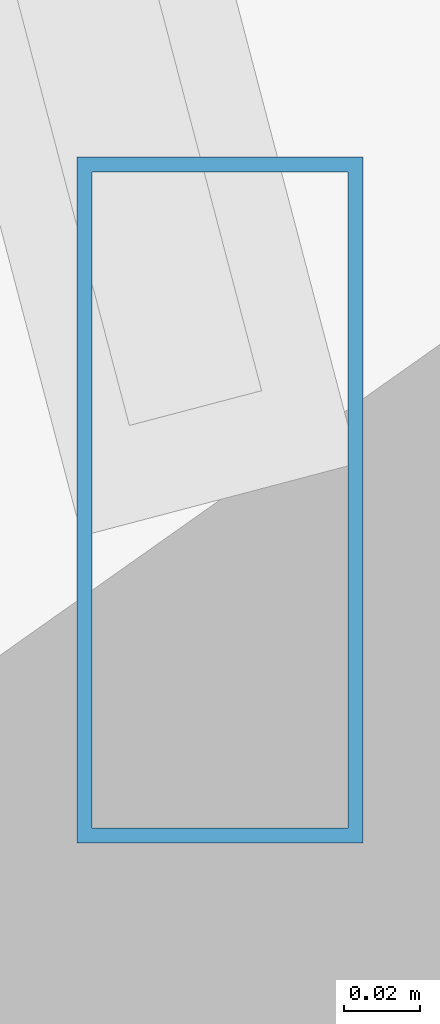
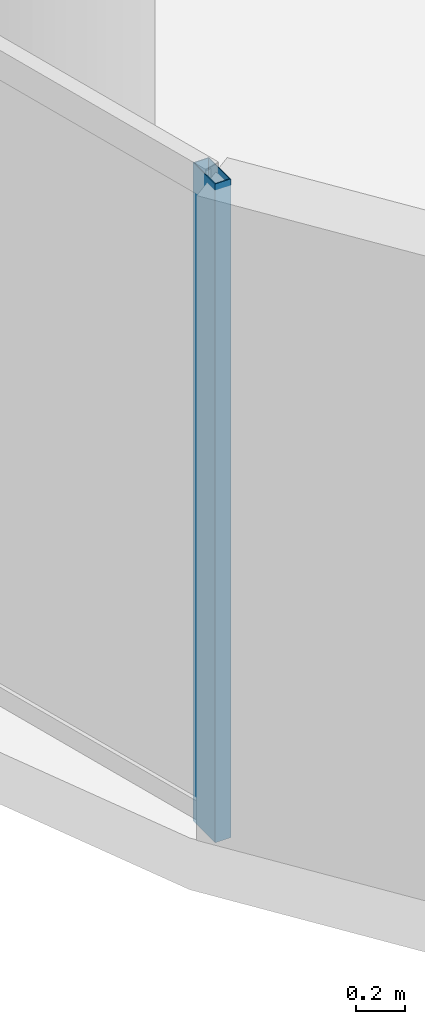
# One storey, part 3 of 34: 1 member, 1 element without a shape of its own.
"""IFC4 building model written with IfcOpenShell, lengths in metres."""

from ifc_helpers import new_model, si_unit, direction, frame, origin, origin_2d, place, context, subcontext, project, spatial, hollow_rectangle, extrude, material, material_profile, profile_set, type_object, element, aggregate, save


model = new_model("IFC4")

# Units and contexts
model_context = context("Model", 3, precision=1e-05, world=origin(), true_north=direction((0.0, 1.0)))
body_context = subcontext(model_context, "Body", "Model", "MODEL_VIEW")
ifc_project = project(units=[si_unit("LENGTHUNIT", "METRE"), si_unit("AREAUNIT", "SQUARE_METRE"), si_unit("VOLUMEUNIT", "CUBIC_METRE"), si_unit("PLANEANGLEUNIT", "RADIAN"), si_unit("MASSUNIT", "GRAM", prefix="KILO")], contexts=[model_context])

# Site, building, storey
site_placement = place(None, origin())
site = spatial("IfcSite", under=ifc_project, at=site_placement, CompositionType="ELEMENT")
building_placement = place(site_placement, origin())
building = spatial("IfcBuilding", under=site, at=building_placement, Name="Vorneva Point Tower", CompositionType="ELEMENT")
storey_placement = place(building_placement, frame((0.0, 0.0, 62.5)))
storey = spatial("IfcBuildingStorey", under=building, at=storey_placement, Name="L16", CompositionType="ELEMENT", Elevation=62.5)

# Curtain wall, member
ifc_material = material(Name="Pale anodised aluminium", Category="aluminium")
curtain_wall_type = type_object("IfcCurtainWallType", Name="CW-HTL-SYS", PredefinedType="NOTDEFINED", material=ifc_material)
curtain_wall_placement = place(storey_placement, origin())
curtain_wall = element("IfcCurtainWall", 1, at=curtain_wall_placement, inside=storey, type_object=curtain_wall_type, Name="L16 Unitised Curtain Wall CW-L16-R03", PredefinedType="NOTDEFINED")
ifc_material_profile = material_profile(ifc_material, hollow_rectangle(XDim=0.074951171875, YDim=0.179931640625, WallThickness=0.00390625, at=origin_2d()), Name="AL-MUL 180x75x4")
ifc_profile_set = profile_set([ifc_material_profile], Name="Pale anodised aluminium")
member_type = type_object("IfcMemberType", Name="CW-MUL-180", PredefinedType="MULLION", material=ifc_profile_set)
member_placement = place(storey_placement, frame((10.699462890625, 17.447021484375, -0.0400390625), z_axis=(0.0, 0.0, 1.0), x_axis=(1.0, 0.0, 0.0)))
member = element("IfcMember", 2, at=member_placement, type_object=member_type, Name="CW-L16-R03 Mullion 02", PredefinedType="MULLION", context=body_context, shape_type="SweptSolid", body=[
    extrude(hollow_rectangle(XDim=0.074951171875, YDim=0.179931640625, WallThickness=0.00390625, at=origin_2d()), origin(), (0.0, 0.0, 1.0), 3.31005859375),
])
aggregate(curtain_wall, [member])

save(model, "model.ifc")
